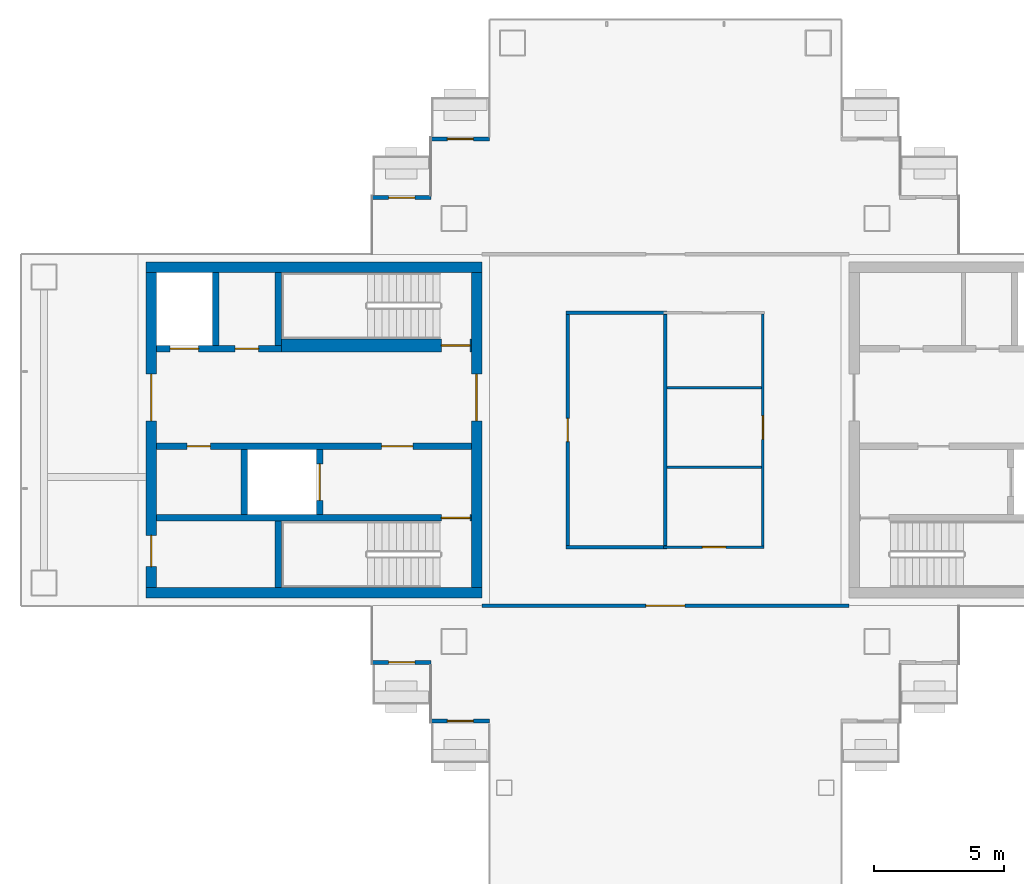
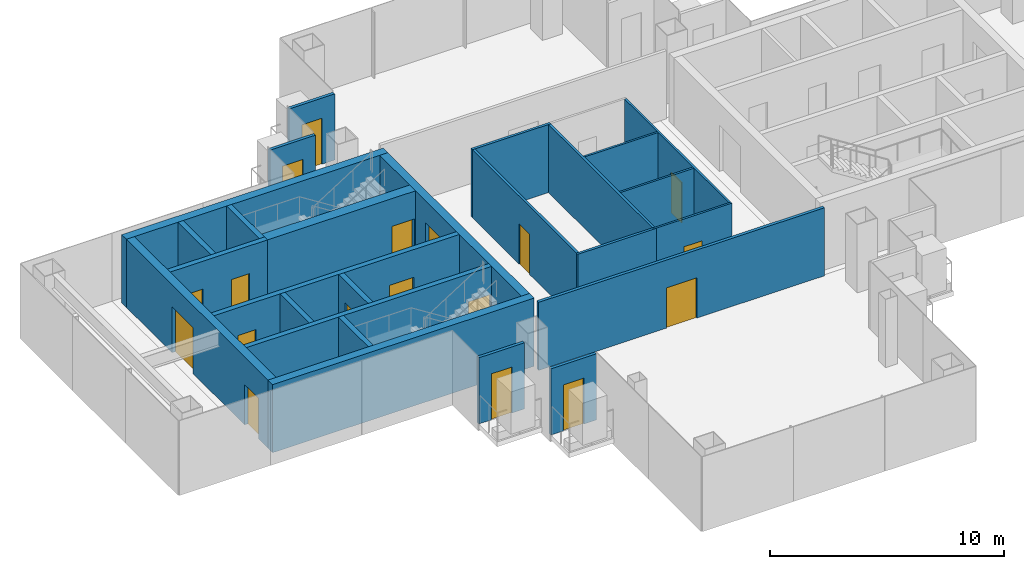
# One storey, part 9 of 17: 26 walls, 18 doors, 18 openings.
"""IFC4 building model written with IfcOpenShell, lengths in metres."""

import ifcopenshell
import ifcopenshell.guid

model = None  # the IFC model being written
_history = None  # IfcOwnerHistory: only IFC2X3 demands one
_inside = {}  # id of a spatial element -> (the spatial element, [elements in it])
_under = {}  # id of a project, library or spatial element -> (it, [spatial elements below it])
_declared = {}  # id of a project -> (the project, [libraries it declares])
_typed = {}  # id of a type object -> (the type object, [elements of that type])
_made_of = {}  # id of a material, layer set ... -> (it, [elements and type objects made of it])


def new_model(schema):
    """Start an empty IFC model of exactly this schema.

    Asked for "IFC4X3", IfcOpenShell would pick the latest addendum, in which some entities
    have other attributes; the version numbers below select the first issue.
    IFC2X3 requires an IfcOwnerHistory on every rooted entity: one is made here for all.
    """
    global model, _history
    if schema == "IFC4X3":
        model = ifcopenshell.file(schema_version=(4, 3, 0, 0))
    else:
        model = ifcopenshell.file(schema=schema)
    _inside.clear()
    _under.clear()
    _declared.clear()
    _typed.clear()
    _made_of.clear()
    _history = None
    if model.schema == "IFC2X3":
        org = make("IfcOrganization", Name="unknown")
        user = make(
            "IfcPersonAndOrganization",
            ThePerson=make("IfcPerson", FamilyName="unknown"),
            TheOrganization=org,
        )
        app = make(
            "IfcApplication",
            ApplicationDeveloper=org,
            Version="unknown",
            ApplicationFullName="unknown",
            ApplicationIdentifier="unknown",
        )
        _history = make(
            "IfcOwnerHistory",
            OwningUser=user,
            OwningApplication=app,
            ChangeAction="ADDED",
            CreationDate=0,
        )
    return model


def make(cls, **values):
    """One entity of the class cls with the attributes given. An attribute that is None is left unset."""
    return model.create_entity(
        cls, **{name: value for name, value in values.items() if value is not None}
    )


def rooted(cls, **values):
    """An entity with a GlobalId (a new one), such as an element, a storey or a relation."""
    return make(cls, GlobalId=ifcopenshell.guid.new(), OwnerHistory=_history, **values)


def si_unit(unit_type, name, prefix=None):
    """IfcSIUnit, for example si_unit("LENGTHUNIT", "METRE", prefix="MILLI")."""
    return make("IfcSIUnit", UnitType=unit_type, Prefix=prefix, Name=name)


def assignment(units):
    """IfcUnitAssignment: the units of a project."""
    return None if units is None else make("IfcUnitAssignment", Units=units)


def point(xyz):
    """IfcCartesianPoint."""
    return None if xyz is None else make("IfcCartesianPoint", Coordinates=xyz)


def direction(xyz):
    """IfcDirection."""
    return None if xyz is None else make("IfcDirection", DirectionRatios=xyz)


def frame(location, z_axis=None, x_axis=None):
    """IfcAxis2Placement3D, a coordinate frame: its origin and axes. An axis left out is left unset."""
    return make(
        "IfcAxis2Placement3D",
        Location=point(location),
        Axis=direction(z_axis),
        RefDirection=direction(x_axis),
    )


def frame_2d(location, x_axis=None):
    """IfcAxis2Placement2D, a coordinate frame in the plane: its origin and x axis."""
    return make(
        "IfcAxis2Placement2D", Location=point(location), RefDirection=direction(x_axis)
    )


def origin():
    """The frame at (0, 0, 0) with its axes left unset."""
    return frame((0.0, 0.0, 0.0))


def place(relative_to, where):
    """IfcLocalPlacement: puts the frame where relative to a parent placement (None: the world)."""
    return make(
        "IfcLocalPlacement", PlacementRelTo=relative_to, RelativePlacement=where
    )


def context(
    kind, dimensions, precision=None, world=None, true_north=None, identifier=None
):
    """IfcGeometricRepresentationContext, for example the 3D "Model" context."""
    return make(
        "IfcGeometricRepresentationContext",
        ContextIdentifier=identifier,
        ContextType=kind,
        CoordinateSpaceDimension=dimensions,
        Precision=precision,
        WorldCoordinateSystem=world,
        TrueNorth=true_north,
    )


def subcontext(parent, identifier, kind, view, scale=None):
    """IfcGeometricRepresentationSubContext, for example "Body" below "Model"."""
    return make(
        "IfcGeometricRepresentationSubContext",
        ContextIdentifier=identifier,
        ContextType=kind,
        ParentContext=parent,
        TargetScale=scale,
        TargetView=view,
    )


def project(units=None, contexts=None):
    """IfcProject with its units and contexts."""
    return rooted(
        "IfcProject",
        Name="project",
        RepresentationContexts=contexts,
        UnitsInContext=assignment(units),
    )


def spatial(cls, under=None, at=None, **own):
    """A site, building, storey or space (cls), placed at a placement, below another one or the project."""
    s = rooted(cls, ObjectPlacement=at, **own)
    if under is not None:
        _under.setdefault(under.id(), (under, []))[1].append(s)
    return s


def profile(cls, at=None, kind="AREA", **sizes):
    """A parametric profile (cls). Its sizes go by their IFC names, for example OverallWidth=200.0."""
    return make(cls, ProfileType=kind, Position=at, **sizes)


def rectangle(**sizes):
    """IfcRectangleProfileDef."""
    return profile("IfcRectangleProfileDef", **sizes)


def extrude(swept, where, along, depth):
    """IfcExtrudedAreaSolid: the profile swept, set in the frame where, extruded along a direction by depth."""
    return make(
        "IfcExtrudedAreaSolid",
        SweptArea=swept,
        Position=where,
        ExtrudedDirection=direction(along),
        Depth=depth,
    )


def shape(context_of_items, identifier, shape_type, items):
    """IfcShapeRepresentation: the items that make up one representation, for example the "Body"."""
    return make(
        "IfcShapeRepresentation",
        ContextOfItems=context_of_items,
        RepresentationIdentifier=identifier,
        RepresentationType=shape_type,
        Items=items,
    )


def material(Name=None, Category=None):
    """IfcMaterial."""
    return make("IfcMaterial", Name=Name, Category=Category)


def layer(
    of_material, thickness, ventilated=None, Name=None, Category=None, Priority=None
):
    """IfcMaterialLayer: one layer of a wall or slab, of a material (None: an air gap)."""
    return make(
        "IfcMaterialLayer",
        Material=of_material,
        LayerThickness=thickness,
        IsVentilated=ventilated,
        Name=Name,
        Category=Category,
        Priority=Priority,
    )


def layer_set(layers, Name=None):
    """IfcMaterialLayerSet."""
    return make("IfcMaterialLayerSet", MaterialLayers=layers, LayerSetName=Name)


def made_of(thing, what):
    """Note that an element or type object is made of a material, layer set ...; save() writes the relation."""
    if what is not None:
        _made_of.setdefault(what.id(), (what, []))[1].append(thing)
    return thing


def type_object(cls, material=None, **own):
    """A type object (cls), such as IfcWallType, which elements share."""
    return made_of(rooted(cls, **own), material)


def element(
    cls,
    number,
    at=None,
    inside=None,
    cuts=None,
    type_object=None,
    material=None,
    context=None,
    identifier="Body",
    shape_type=None,
    held_by="IfcProductDefinitionShape",
    body=None,
    shapes=None,
    **own,
):
    """One element of the class cls, such as IfcWall. Its Tag is "e" and its number.

    at: its placement. inside: the storey or other place that contains it. cuts: it is an
    opening in that element (IfcRelVoidsElement). A single representation is given by context,
    identifier, shape_type and body (its items); several are given by shapes. held_by: the class
    of the entity that holds the representations. save() writes the other relations.
    """
    e = rooted(cls, Tag="e%d" % number, ObjectPlacement=at, **own)
    if body is not None:
        shapes = [shape(context, identifier, shape_type, body)]
    if shapes is not None:
        e.Representation = make(held_by, Representations=shapes)
    if inside is not None:
        _inside.setdefault(inside.id(), (inside, []))[1].append(e)
    if cuts is not None:
        rooted(
            "IfcRelVoidsElement", RelatingBuildingElement=cuts, RelatedOpeningElement=e
        )
    if type_object is not None:
        _typed.setdefault(type_object.id(), (type_object, []))[1].append(e)
    return made_of(e, material)


def fill(opening, filler):
    """IfcRelFillsElement: the door or window that sits in an opening."""
    return rooted(
        "IfcRelFillsElement",
        RelatingOpeningElement=opening,
        RelatedBuildingElement=filler,
    )


def aggregate(whole, parts):
    """IfcRelAggregates: a whole, such as a stair, and the parts it consists of."""
    return rooted("IfcRelAggregates", RelatingObject=whole, RelatedObjects=parts)


def save(model, path):
    """Write the relations noted so far, then the file.

    IfcRelAggregates (storeys below a building ...), IfcRelContainedInSpatialStructure (elements
    in a storey), IfcRelDefinesByType, IfcRelAssociatesMaterial and IfcRelDeclares: one each for
    every whole, place, type object, material and project.
    """
    for whole, parts in _under.values():
        aggregate(whole, parts)
    for where, things in _inside.values():
        rooted(
            "IfcRelContainedInSpatialStructure",
            RelatedElements=things,
            RelatingStructure=where,
        )
    for kind, things in _typed.values():
        rooted("IfcRelDefinesByType", RelatedObjects=things, RelatingType=kind)
    for what, things in _made_of.values():
        rooted("IfcRelAssociatesMaterial", RelatedObjects=things, RelatingMaterial=what)
    for by, libraries in _declared.values():
        rooted("IfcRelDeclares", RelatingContext=by, RelatedDefinitions=libraries)
    model.write(path)


model = new_model("IFC4")

# Units and contexts
model_context = context("Model", 3, precision=1e-05, world=origin(), true_north=direction((0.0, 1.0)))
body_context = subcontext(model_context, "Body", "Model", "MODEL_VIEW")
ifc_project = project(units=[si_unit("LENGTHUNIT", "METRE"), si_unit("AREAUNIT", "SQUARE_METRE"), si_unit("VOLUMEUNIT", "CUBIC_METRE"), si_unit("PLANEANGLEUNIT", "RADIAN"), si_unit("MASSUNIT", "GRAM", prefix="KILO")], contexts=[model_context])

# Site, building, storey
site_placement = place(None, origin())
site = spatial("IfcSite", under=ifc_project, at=site_placement, CompositionType="ELEMENT")
building_placement = place(site_placement, origin())
building = spatial("IfcBuilding", under=site, at=building_placement, Name="Shamsa Quay Exchange Towers", CompositionType="ELEMENT")
storey_placement = place(building_placement, frame((0.0, 0.0, 217.800048828125)))
storey = spatial("IfcBuildingStorey", under=building, at=storey_placement, Name="L52", CompositionType="ELEMENT", Elevation=217.800048828125)

# Wall, opening, door
ifc_material_1 = material(Name="Aluminium EN AW-6063 T6, black anodised, with black enamelled glass infill", Category="aluminium")
ifc_layer_1 = layer(ifc_material_1, 0.14990234375)
ifc_layer_set_1 = layer_set([ifc_layer_1], Name="BALCONY DOOR BAY WALL 150")
wall_type_1 = type_object("IfcWallType", Name="BALCONY DOOR BAY WALL 150", PredefinedType="SOLIDWALL", material=ifc_layer_set_1)
wall_1_placement = place(storey_placement, frame((-42.75, 11.175048828125, 0.0)))
wall_1 = element("IfcWall", 1, at=wall_1_placement, inside=storey, type_object=wall_type_1, Name="Door bay T1-PKWN L52", PredefinedType="SOLIDWALL", context=body_context, shape_type="SweptSolid", body=[
    extrude(rectangle(XDim=2.25, YDim=0.14990234375, at=frame_2d((1.125, 0.0))), origin(), (0.0, 0.0, 1.0), 3.449951171875),
])
opening_1_placement = place(wall_1_placement, frame((0.625, 0.0, 0.0)))
opening_1 = element("IfcOpeningElement", 2, at=opening_1_placement, cuts=wall_1, Name="Opening XD349", PredefinedType="OPENING", context=body_context, shape_type="SweptSolid", body=[
    extrude(rectangle(XDim=1.0, YDim=2.39990234375, at=frame_2d((0.5, 1.199951171875))), frame((0.0, 0.0849609375, 0.0), z_axis=(0.0, -1.0, 0.0), x_axis=(1.0, 0.0, 0.0)), (0.0, 0.0, 1.0), 0.169921875),
])
ifc_material_2 = material(Name="Aluminium EN AW-6063 T6, black anodised, with laminated glass leaf", Category="aluminium")
door_type_1 = type_object("IfcDoorType", Name="BALCONY DOOR 1000x2400", OperationType="SINGLE_SWING_LEFT", PredefinedType="DOOR", material=ifc_material_2)
door_1_placement = place(opening_1_placement, origin())
door_1 = element("IfcDoor", 3, at=door_1_placement, inside=storey, type_object=door_type_1, Name="Balcony door T1-PKWN L52", OperationType="SINGLE_SWING_LEFT", OverallHeight=2.39990234375, OverallWidth=1.0, PredefinedType="DOOR", context=body_context, shape_type="SweptSolid", body=[
    extrude(rectangle(XDim=1.0, YDim=2.39990234375, at=frame_2d((0.5, 1.199951171875))), frame((0.0, 0.02490234375, 0.0), z_axis=(0.0, -1.0, 0.0), x_axis=(1.0, 0.0, 0.0)), (0.0, 0.0, 1.0), 0.050048828125),
])
fill(opening_1, door_1)

wall_2_placement = place(storey_placement, frame((-45.0, 8.925048828125, 0.0)))
wall_2 = element("IfcWall", 4, at=wall_2_placement, inside=storey, type_object=wall_type_1, Name="Door bay T1-PKWN L52", PredefinedType="SOLIDWALL", context=body_context, shape_type="SweptSolid", body=[
    extrude(rectangle(XDim=2.25, YDim=0.14990234375, at=frame_2d((1.125, 0.0))), origin(), (0.0, 0.0, 1.0), 3.449951171875),
])
opening_2_placement = place(wall_2_placement, frame((0.625, 0.0, 0.0)))
opening_2 = element("IfcOpeningElement", 5, at=opening_2_placement, cuts=wall_2, Name="Opening XD350", PredefinedType="OPENING", context=body_context, shape_type="SweptSolid", body=[
    extrude(rectangle(XDim=1.0, YDim=2.39990234375, at=frame_2d((0.5, 1.199951171875))), frame((0.0, 0.0849609375, 0.0), z_axis=(0.0, -1.0, 0.0), x_axis=(1.0, 0.0, 0.0)), (0.0, 0.0, 1.0), 0.169921875),
])
door_2_placement = place(opening_2_placement, origin())
door_2 = element("IfcDoor", 6, at=door_2_placement, inside=storey, type_object=door_type_1, Name="Balcony door T1-PKWN L52", OperationType="SINGLE_SWING_RIGHT", OverallHeight=2.39990234375, OverallWidth=1.0, PredefinedType="DOOR", context=body_context, shape_type="SweptSolid", body=[
    extrude(rectangle(XDim=1.0, YDim=2.39990234375, at=frame_2d((0.5, 1.199951171875))), frame((0.0, 0.02490234375, 0.0), z_axis=(0.0, -1.0, 0.0), x_axis=(1.0, 0.0, 0.0)), (0.0, 0.0, 1.0), 0.050048828125),
])
fill(opening_2, door_2)

wall_3_placement = place(storey_placement, frame((-42.75, -8.925048828125, 0.0), z_axis=(0.0, 0.0, 1.0), x_axis=(-1.0, 0.0, 0.0)))
wall_3 = element("IfcWall", 7, at=wall_3_placement, inside=storey, type_object=wall_type_1, Name="Door bay T1-PKWS L52", PredefinedType="SOLIDWALL", context=body_context, shape_type="SweptSolid", body=[
    extrude(rectangle(XDim=2.25, YDim=0.14990234375, at=frame_2d((1.125, 0.0))), origin(), (0.0, 0.0, 1.0), 3.449951171875),
])
opening_3_placement = place(wall_3_placement, frame((0.625, 0.0, 0.0)))
opening_3 = element("IfcOpeningElement", 8, at=opening_3_placement, cuts=wall_3, Name="Opening XD351", PredefinedType="OPENING", context=body_context, shape_type="SweptSolid", body=[
    extrude(rectangle(XDim=1.0, YDim=2.39990234375, at=frame_2d((0.5, 1.199951171875))), frame((0.0, 0.0849609375, 0.0), z_axis=(0.0, -1.0, 0.0), x_axis=(1.0, 0.0, 0.0)), (0.0, 0.0, 1.0), 0.169921875),
])
door_3_placement = place(opening_3_placement, origin())
door_3 = element("IfcDoor", 9, at=door_3_placement, inside=storey, type_object=door_type_1, Name="Balcony door T1-PKWS L52", OperationType="SINGLE_SWING_LEFT", OverallHeight=2.39990234375, OverallWidth=1.0, PredefinedType="DOOR", context=body_context, shape_type="SweptSolid", body=[
    extrude(rectangle(XDim=1.0, YDim=2.39990234375, at=frame_2d((0.5, 1.199951171875))), frame((0.0, 0.02490234375, 0.0), z_axis=(0.0, -1.0, 0.0), x_axis=(1.0, 0.0, 0.0)), (0.0, 0.0, 1.0), 0.050048828125),
])
fill(opening_3, door_3)

wall_4_placement = place(storey_placement, frame((-40.5, -11.175048828125, 0.0), z_axis=(0.0, 0.0, 1.0), x_axis=(-1.0, 0.0, 0.0)))
wall_4 = element("IfcWall", 10, at=wall_4_placement, inside=storey, type_object=wall_type_1, Name="Door bay T1-PKWS L52", PredefinedType="SOLIDWALL", context=body_context, shape_type="SweptSolid", body=[
    extrude(rectangle(XDim=2.25, YDim=0.14990234375, at=frame_2d((1.125, 0.0))), origin(), (0.0, 0.0, 1.0), 3.449951171875),
])
opening_4_placement = place(wall_4_placement, frame((0.625, 0.0, 0.0)))
opening_4 = element("IfcOpeningElement", 11, at=opening_4_placement, cuts=wall_4, Name="Opening XD352", PredefinedType="OPENING", context=body_context, shape_type="SweptSolid", body=[
    extrude(rectangle(XDim=1.0, YDim=2.39990234375, at=frame_2d((0.5, 1.199951171875))), frame((0.0, 0.0849609375, 0.0), z_axis=(0.0, -1.0, 0.0), x_axis=(1.0, 0.0, 0.0)), (0.0, 0.0, 1.0), 0.169921875),
])
door_4_placement = place(opening_4_placement, origin())
door_4 = element("IfcDoor", 12, at=door_4_placement, inside=storey, type_object=door_type_1, Name="Balcony door T1-PKWS L52", OperationType="SINGLE_SWING_RIGHT", OverallHeight=2.39990234375, OverallWidth=1.0, PredefinedType="DOOR", context=body_context, shape_type="SweptSolid", body=[
    extrude(rectangle(XDim=1.0, YDim=2.39990234375, at=frame_2d((0.5, 1.199951171875))), frame((0.0, 0.02490234375, 0.0), z_axis=(0.0, -1.0, 0.0), x_axis=(1.0, 0.0, 0.0)), (0.0, 0.0, 1.0), 0.050048828125),
])
fill(opening_4, door_4)

# Walls
ifc_material_3 = material(Name="Concrete C60/75", Category="concrete")
ifc_layer_2 = layer(ifc_material_3, 0.39990234375)
ifc_layer_set_2 = layer_set([ifc_layer_2], Name="CORE WALL 400 C60/75")
wall_type_2 = type_object("IfcWallType", Name="CORE WALL 400 C60/75", PredefinedType="SHEAR", material=ifc_layer_set_2)
for number, where, z_axis, x_axis, name in (
    (13, (-40.800048828125, -6.25, 0.0), (0.0, 0.0, 1.0), (-1.0, 0.0, 0.0), "Core wall T1B-R24-PS"),
    (14, (-40.800048828125, 6.25, 0.0), (0.0, 0.0, 1.0), (-1.0, 0.0, 0.0), "Core wall T1B-R24-PN"),
):
    element("IfcWall", number, at=place(storey_placement, frame(where, z_axis=z_axis, x_axis=x_axis)), inside=storey, type_object=wall_type_2, Name=name, PredefinedType="SHEAR", context=body_context, shape_type="SweptSolid", body=[
        extrude(rectangle(XDim=12.89990234375, YDim=0.39990234375, at=frame_2d((6.449951171875, 0.0))), origin(), (0.0, 0.0, 1.0), 3.550048828125),
    ])

# Wall, opening, door
wall_5_placement = place(storey_placement, frame((-41.0, -6.050048828125, 0.0), z_axis=(0.0, 0.0, 1.0), x_axis=(0.0, 1.0, 0.0)))
wall_5 = element("IfcWall", 15, at=wall_5_placement, inside=storey, type_object=wall_type_2, Name="Core wall T1B-R24-PF", PredefinedType="SHEAR", context=body_context, shape_type="SweptSolid", body=[
    extrude(rectangle(XDim=12.10009765625, YDim=0.39990234375, at=frame_2d((6.050048828125, 0.0))), origin(), (0.0, 0.0, 1.0), 3.550048828125),
])
opening_5_placement = place(wall_5_placement, frame((6.39990234375, 0.0, 0.0)))
opening_5 = element("IfcOpeningElement", 16, at=opening_5_placement, cuts=wall_5, Name="Opening T1B-R24-LBD01", PredefinedType="OPENING", context=body_context, shape_type="SweptSolid", body=[
    extrude(rectangle(XDim=1.800048828125, YDim=2.39990234375, at=frame_2d((0.89990234375, 1.199951171875))), frame((0.0, 0.2099609375, 0.0), z_axis=(0.0, -1.0, 0.0), x_axis=(1.0, 0.0, 0.0)), (0.0, 0.0, 1.0), 0.419921875),
])
ifc_material_4 = material(Name="Steel, fire rated", Category="steel")
door_type_2 = type_object("IfcDoorType", Name="LIFT LOBBY DOOR PAIR 1800", OperationType="DOUBLE_DOOR_SINGLE_SWING", PredefinedType="DOOR", material=ifc_material_4)
door_5_placement = place(opening_5_placement, origin())
door_5 = element("IfcDoor", 17, at=door_5_placement, inside=storey, type_object=door_type_2, Name="T1B-R24-LBD01", OperationType="DOUBLE_DOOR_SINGLE_SWING", OverallHeight=2.39990234375, OverallWidth=1.800048828125, PredefinedType="DOOR", context=body_context, shape_type="SweptSolid", body=[
    extrude(rectangle(XDim=1.800048828125, YDim=2.39990234375, at=frame_2d((0.89990234375, 1.199951171875))), frame((0.0, 0.02490234375, 0.0), z_axis=(0.0, -1.0, 0.0), x_axis=(1.0, 0.0, 0.0)), (0.0, 0.0, 1.0), 0.050048828125),
])
fill(opening_5, door_5)

# Wall, openings, doors
wall_6_placement = place(storey_placement, frame((-53.5, -6.050048828125, 0.0), z_axis=(0.0, 0.0, 1.0), x_axis=(0.0, 1.0, 0.0)))
wall_6 = element("IfcWall", 18, at=wall_6_placement, inside=storey, type_object=wall_type_2, Name="Core wall T1B-R24-PB", PredefinedType="SHEAR", context=body_context, shape_type="SweptSolid", body=[
    extrude(rectangle(XDim=12.10009765625, YDim=0.39990234375, at=frame_2d((6.050048828125, 0.0))), origin(), (0.0, 0.0, 1.0), 3.550048828125),
])
opening_6_placement = place(wall_6_placement, frame((0.800048828125, 0.0, 0.0)))
opening_6 = element("IfcOpeningElement", 19, at=opening_6_placement, cuts=wall_6, Name="Opening T1B-R24-RD02", PredefinedType="OPENING", context=body_context, shape_type="SweptSolid", body=[
    extrude(rectangle(XDim=1.199951171875, YDim=2.10009765625, at=frame_2d((0.60009765625, 1.050048828125))), frame((0.0, 0.2099609375, 0.0), z_axis=(0.0, -1.0, 0.0), x_axis=(1.0, 0.0, 0.0)), (0.0, 0.0, 1.0), 0.419921875),
])
opening_7_placement = place(wall_6_placement, frame((6.39990234375, 0.0, 0.0)))
opening_7 = element("IfcOpeningElement", 20, at=opening_7_placement, cuts=wall_6, Name="Opening T1B-R24-LBD03", PredefinedType="OPENING", context=body_context, shape_type="SweptSolid", body=[
    extrude(rectangle(XDim=1.800048828125, YDim=2.39990234375, at=frame_2d((0.89990234375, 1.199951171875))), frame((0.0, 0.2099609375, 0.0), z_axis=(0.0, -1.0, 0.0), x_axis=(1.0, 0.0, 0.0)), (0.0, 0.0, 1.0), 0.419921875),
])
door_6_placement = place(opening_7_placement, origin())
door_6 = element("IfcDoor", 21, at=door_6_placement, inside=storey, type_object=door_type_2, Name="T1B-R24-LBD03", OperationType="DOUBLE_DOOR_SINGLE_SWING", OverallHeight=2.39990234375, OverallWidth=1.800048828125, PredefinedType="DOOR", context=body_context, shape_type="SweptSolid", body=[
    extrude(rectangle(XDim=1.800048828125, YDim=2.39990234375, at=frame_2d((0.89990234375, 1.199951171875))), frame((0.0, 0.02490234375, 0.0), z_axis=(0.0, -1.0, 0.0), x_axis=(1.0, 0.0, 0.0)), (0.0, 0.0, 1.0), 0.050048828125),
])
fill(opening_7, door_6)
door_type_3 = type_object("IfcDoorType", Name="RISER ACCESS DOOR 1200", OperationType="SINGLE_SWING_LEFT", PredefinedType="DOOR", material=ifc_material_4)
door_7_placement = place(opening_6_placement, origin())
door_7 = element("IfcDoor", 22, at=door_7_placement, inside=storey, type_object=door_type_3, Name="T1B-R24-RD02", OperationType="SINGLE_SWING_LEFT", OverallHeight=2.10009765625, OverallWidth=1.199951171875, PredefinedType="DOOR", context=body_context, shape_type="SweptSolid", body=[
    extrude(rectangle(XDim=1.199951171875, YDim=2.10009765625, at=frame_2d((0.60009765625, 1.050048828125))), frame((0.0, 0.02490234375, 0.0), z_axis=(0.0, -1.0, 0.0), x_axis=(1.0, 0.0, 0.0)), (0.0, 0.0, 1.0), 0.050048828125),
])
fill(opening_6, door_7)

# Wall, opening, door
ifc_material_5 = material(Name="Laminated fire-resisting glass in a metal frame", Category="glass")
ifc_layer_3 = layer(ifc_material_5, 0.125)
ifc_layer_set_3 = layer_set([ifc_layer_3], Name="Glazed partition 125 mm EI 60")
wall_type_3 = type_object("IfcWallType", Name="Glazed partition 125 mm EI 60", PredefinedType="PARTITIONING", material=ifc_layer_set_3)
wall_7_placement = place(storey_placement, frame((-37.5, 4.4375, 0.0), z_axis=(0.0, 0.0, 1.0), x_axis=(0.0, -1.0, 0.0)))
wall_7 = element("IfcWall", 23, at=wall_7_placement, inside=storey, type_object=wall_type_3, Name="Partition T1-R24-W01", PredefinedType="PARTITIONING", context=body_context, shape_type="SweptSolid", body=[
    extrude(rectangle(XDim=8.875, YDim=0.125, at=frame_2d((4.4375, 0.0))), origin(), (0.0, 0.0, 1.0), 3.550048828125),
])
opening_8_placement = place(wall_7_placement, frame((3.987548828125, 0.0, 0.0)))
opening_8 = element("IfcOpeningElement", 24, at=opening_8_placement, cuts=wall_7, Name="Opening T1-R24-D02", PredefinedType="OPENING", context=body_context, shape_type="SweptSolid", body=[
    extrude(rectangle(XDim=0.89990234375, YDim=2.10009765625, at=frame_2d((0.449951171875, 1.050048828125))), frame((0.0, 0.072509765625, 0.0), z_axis=(0.0, -1.0, 0.0), x_axis=(1.0, 0.0, 0.0)), (0.0, 0.0, 1.0), 0.14501953125),
])
ifc_material_6 = material(Name="Timber door leaf in a metal frame", Category="wood")
door_type_4 = type_object("IfcDoorType", Name="Door 900x2100 FD30S", OperationType="NOTDEFINED", PredefinedType="DOOR", material=ifc_material_6)
door_8_placement = place(opening_8_placement, origin())
door_8 = element("IfcDoor", 25, at=door_8_placement, inside=storey, type_object=door_type_4, Name="Door T1-R24-D02", OperationType="SINGLE_SWING_RIGHT", OverallHeight=2.10009765625, OverallWidth=0.89990234375, PredefinedType="DOOR", context=body_context, shape_type="SweptSolid", body=[
    extrude(rectangle(XDim=0.89990234375, YDim=2.10009765625, at=frame_2d((0.449951171875, 1.050048828125))), frame((0.0, 0.02490234375, 0.0), z_axis=(0.0, -1.0, 0.0), x_axis=(1.0, 0.0, 0.0)), (0.0, 0.0, 1.0), 0.050048828125),
])
fill(opening_8, door_8)

# Walls
wall_8_placement = place(storey_placement, frame((-37.5625, -4.5, 0.0)))
element("IfcWall", 26, at=wall_8_placement, inside=storey, type_object=wall_type_3, Name="Partition T1-R24-W02", PredefinedType="PARTITIONING", context=body_context, shape_type="SweptSolid", body=[
    extrude(rectangle(XDim=3.875, YDim=0.125, at=frame_2d((1.9375, 0.0))), origin(), (0.0, 0.0, 1.0), 3.550048828125),
])
wall_9_placement = place(storey_placement, frame((-33.6875, 4.5, 0.0), z_axis=(0.0, 0.0, 1.0), x_axis=(-1.0, 0.0, 0.0)))
element("IfcWall", 27, at=wall_9_placement, inside=storey, type_object=wall_type_3, Name="Partition T1-R24-W03", PredefinedType="PARTITIONING", context=body_context, shape_type="SweptSolid", body=[
    extrude(rectangle(XDim=3.875, YDim=0.125, at=frame_2d((1.9375, 0.0))), origin(), (0.0, 0.0, 1.0), 3.550048828125),
])
wall_10_placement = place(storey_placement, frame((-33.75, -4.4375, 0.0), z_axis=(0.0, 0.0, 1.0), x_axis=(0.0, 1.0, 0.0)))
element("IfcWall", 28, at=wall_10_placement, inside=storey, type_object=wall_type_3, Name="Partition T1-R24-W09", PredefinedType="PARTITIONING", context=body_context, shape_type="SweptSolid", body=[
    extrude(rectangle(XDim=8.875, YDim=0.125, at=frame_2d((4.4375, 0.0))), origin(), (0.0, 0.0, 1.0), 3.550048828125),
])

# Wall, opening, door
ifc_material_7 = material(Name="Gypsum board partition on metal studs")
ifc_layer_4 = layer(ifc_material_7, 0.10009765625)
ifc_layer_set_4 = layer_set([ifc_layer_4], Name="Partition 100 mm NOT RATED")
wall_type_4 = type_object("IfcWallType", Name="Partition 100 mm NOT RATED", PredefinedType="PARTITIONING", material=ifc_layer_set_4)
wall_11_placement = place(storey_placement, frame((-33.8125, -4.5, 0.0)))
wall_11 = element("IfcWall", 29, at=wall_11_placement, inside=storey, type_object=wall_type_4, Name="Partition T1-R24-W04", PredefinedType="PARTITIONING", context=body_context, shape_type="SweptSolid", body=[
    extrude(rectangle(XDim=3.862548828125, YDim=0.10009765625, at=frame_2d((1.93115234375, 0.0))), origin(), (0.0, 0.0, 1.0), 3.550048828125),
])
opening_9_placement = place(wall_11_placement, frame((1.487548828125, 0.0, 0.0)))
opening_9 = element("IfcOpeningElement", 30, at=opening_9_placement, cuts=wall_11, Name="Opening T1-R24-D03", PredefinedType="OPENING", context=body_context, shape_type="SweptSolid", body=[
    extrude(rectangle(XDim=0.89990234375, YDim=2.10009765625, at=frame_2d((0.449951171875, 1.050048828125))), frame((0.0, 0.06005859375, 0.0), z_axis=(0.0, -1.0, 0.0), x_axis=(1.0, 0.0, 0.0)), (0.0, 0.0, 1.0), 0.1201171875),
])
door_type_5 = type_object("IfcDoorType", Name="Door 900x2100 NOT RATED", OperationType="NOTDEFINED", PredefinedType="DOOR", material=ifc_material_6)
door_9_placement = place(opening_9_placement, origin())
door_9 = element("IfcDoor", 31, at=door_9_placement, inside=storey, type_object=door_type_5, Name="Door T1-R24-D03", OperationType="SINGLE_SWING_LEFT", OverallHeight=2.10009765625, OverallWidth=0.89990234375, PredefinedType="DOOR", context=body_context, shape_type="SweptSolid", body=[
    extrude(rectangle(XDim=0.89990234375, YDim=2.10009765625, at=frame_2d((0.449951171875, 1.050048828125))), frame((0.0, 0.02490234375, 0.0), z_axis=(0.0, -1.0, 0.0), x_axis=(1.0, 0.0, 0.0)), (0.0, 0.0, 1.0), 0.050048828125),
])
fill(opening_9, door_9)

wall_12_placement = place(storey_placement, frame((-30.0, -4.449951171875, 0.0), z_axis=(0.0, 0.0, 1.0), x_axis=(0.0, 1.0, 0.0)))
wall_12 = element("IfcWall", 32, at=wall_12_placement, inside=storey, type_object=wall_type_4, Name="Partition T1-R24-W05", PredefinedType="PARTITIONING", context=body_context, shape_type="SweptSolid", body=[
    extrude(rectangle(XDim=8.89990234375, YDim=0.10009765625, at=frame_2d((4.449951171875, 0.0))), origin(), (0.0, 0.0, 1.0), 3.550048828125),
])
opening_10_placement = place(wall_12_placement, frame((4.09375, 0.0, 0.0)))
opening_10 = element("IfcOpeningElement", 33, at=opening_10_placement, cuts=wall_12, Name="Opening T1-R24-D04", PredefinedType="OPENING", context=body_context, shape_type="SweptSolid", body=[
    extrude(rectangle(XDim=0.89990234375, YDim=2.10009765625, at=frame_2d((0.449951171875, 1.050048828125))), frame((0.0, 0.06005859375, 0.0), z_axis=(0.0, -1.0, 0.0), x_axis=(1.0, 0.0, 0.0)), (0.0, 0.0, 1.0), 0.1201171875),
])
door_10_placement = place(opening_10_placement, origin())
door_10 = element("IfcDoor", 34, at=door_10_placement, inside=storey, type_object=door_type_5, Name="Door T1-R24-D04", OperationType="SINGLE_SWING_RIGHT", OverallHeight=2.10009765625, OverallWidth=0.89990234375, PredefinedType="DOOR", context=body_context, shape_type="SweptSolid", body=[
    extrude(rectangle(XDim=0.89990234375, YDim=2.10009765625, at=frame_2d((0.449951171875, 1.050048828125))), frame((0.0, 0.02490234375, 0.0), z_axis=(0.0, -1.0, 0.0), x_axis=(1.0, 0.0, 0.0)), (0.0, 0.0, 1.0), 0.050048828125),
])
fill(opening_10, door_10)

# Walls
for number, where, z_axis, x_axis, name in (
    (35, (-30.050048828125, -1.4375, 0.0), (0.0, 0.0, 1.0), (-1.0, 0.0, 0.0), "Partition T1-R24-W10"),
    (36, (-30.050048828125, 1.625, 0.0), (0.0, 0.0, 1.0), (-1.0, 0.0, 0.0), "Partition T1-R24-W11"),
):
    element("IfcWall", number, at=place(storey_placement, frame(where, z_axis=z_axis, x_axis=x_axis)), inside=storey, type_object=wall_type_4, Name=name, PredefinedType="PARTITIONING", context=body_context, shape_type="SweptSolid", body=[
        extrude(rectangle(XDim=3.637451171875, YDim=0.10009765625, at=frame_2d((1.81884765625, 0.0))), origin(), (0.0, 0.0, 1.0), 3.550048828125),
    ])

# Wall, opening, door
ifc_layer_5 = layer(ifc_material_7, 0.14990234375)
ifc_layer_set_5 = layer_set([ifc_layer_5], Name="Partition 150 mm EI 60")
wall_type_5 = type_object("IfcWallType", Name="Partition 150 mm EI 60", PredefinedType="PARTITIONING", material=ifc_layer_set_5)
wall_13_placement = place(storey_placement, frame((-26.699951171875, -6.75, 0.0), z_axis=(0.0, 0.0, 1.0), x_axis=(-1.0, 0.0, 0.0)))
wall_13 = element("IfcWall", 37, at=wall_13_placement, inside=storey, type_object=wall_type_5, Name="Partition T1-R24-W08", PredefinedType="PARTITIONING", context=body_context, shape_type="SweptSolid", body=[
    extrude(rectangle(XDim=14.10009765625, YDim=0.14990234375, at=frame_2d((7.050048828125, 0.0))), origin(), (0.0, 0.0, 1.0), 3.550048828125),
])
opening_11_placement = place(wall_13_placement, frame((6.300048828125, 0.0, 0.0)))
opening_11 = element("IfcOpeningElement", 38, at=opening_11_placement, cuts=wall_13, Name="Opening T1-R24-D06", PredefinedType="OPENING", context=body_context, shape_type="SweptSolid", body=[
    extrude(rectangle(XDim=1.5, YDim=2.10009765625, at=frame_2d((0.75, 1.050048828125))), frame((0.0, 0.0849609375, 0.0), z_axis=(0.0, -1.0, 0.0), x_axis=(1.0, 0.0, 0.0)), (0.0, 0.0, 1.0), 0.169921875),
])
door_type_6 = type_object("IfcDoorType", Name="Door 1500x2100 FD30S pair", OperationType="NOTDEFINED", PredefinedType="DOOR", material=ifc_material_6)
door_11_placement = place(opening_11_placement, origin())
door_11 = element("IfcDoor", 39, at=door_11_placement, inside=storey, type_object=door_type_6, Name="Door T1-R24-D06", OperationType="DOUBLE_DOOR_SINGLE_SWING", OverallHeight=2.10009765625, OverallWidth=1.5, PredefinedType="DOOR", context=body_context, shape_type="SweptSolid", body=[
    extrude(rectangle(XDim=1.5, YDim=2.10009765625, at=frame_2d((0.75, 1.050048828125))), frame((0.0, 0.02490234375, 0.0), z_axis=(0.0, -1.0, 0.0), x_axis=(1.0, 0.0, 0.0)), (0.0, 0.0, 1.0), 0.050048828125),
])
fill(opening_11, door_11)

ifc_material_8 = material(Name="Concrete C50/60", Category="concrete")
ifc_layer_6 = layer(ifc_material_8, 0.25)
ifc_layer_set_6 = layer_set([ifc_layer_6], Name="SHAFT WALL 250 C50/60")
wall_type_6 = type_object("IfcWallType", Name="SHAFT WALL 250 C50/60", PredefinedType="SHEAR", material=ifc_layer_set_6)
wall_14_placement = place(storey_placement, frame((-41.199951171875, -3.375, 0.0), z_axis=(0.0, 0.0, 1.0), x_axis=(-1.0, 0.0, 0.0)))
wall_14 = element("IfcWall", 40, at=wall_14_placement, inside=storey, type_object=wall_type_6, Name="Shaft wall T1B-R24-STL", PredefinedType="SHEAR", context=body_context, shape_type="SweptSolid", body=[
    extrude(rectangle(XDim=12.10009765625, YDim=0.25, at=frame_2d((6.050048828125, 0.0))), origin(), (0.0, 0.0, 1.0), 3.550048828125),
])
opening_12_placement = place(wall_14_placement, frame((0.050048828125, 0.0, 0.0)))
opening_12 = element("IfcOpeningElement", 41, at=opening_12_placement, cuts=wall_14, Name="Opening T1B-R24-SD04", PredefinedType="OPENING", context=body_context, shape_type="SweptSolid", body=[
    extrude(rectangle(XDim=1.10009765625, YDim=2.10009765625, at=frame_2d((0.550048828125, 1.050048828125))), frame((0.0, 0.135009765625, 0.0), z_axis=(0.0, -1.0, 0.0), x_axis=(1.0, 0.0, 0.0)), (0.0, 0.0, 1.0), 0.27001953125),
])
door_type_7 = type_object("IfcDoorType", Name="STAIR DOOR 1100", OperationType="SINGLE_SWING_LEFT", PredefinedType="DOOR", material=ifc_material_4)
door_12_placement = place(opening_12_placement, origin())
door_12 = element("IfcDoor", 42, at=door_12_placement, inside=storey, type_object=door_type_7, Name="T1B-R24-SD04", OperationType="SINGLE_SWING_LEFT", OverallHeight=2.10009765625, OverallWidth=1.10009765625, PredefinedType="DOOR", context=body_context, shape_type="SweptSolid", body=[
    extrude(rectangle(XDim=1.10009765625, YDim=2.10009765625, at=frame_2d((0.550048828125, 1.050048828125))), frame((0.0, 0.02490234375, 0.0), z_axis=(0.0, -1.0, 0.0), x_axis=(1.0, 0.0, 0.0)), (0.0, 0.0, 1.0), 0.050048828125),
])
fill(opening_12, door_12)

# Wall
wall_15_placement = place(storey_placement, frame((-48.625, -6.050048828125, 0.0), z_axis=(0.0, 0.0, 1.0), x_axis=(0.0, 1.0, 0.0)))
element("IfcWall", 43, at=wall_15_placement, inside=storey, type_object=wall_type_6, Name="Shaft wall T1B-R24-STF", PredefinedType="SHEAR", context=body_context, shape_type="SweptSolid", body=[
    extrude(rectangle(XDim=2.550048828125, YDim=0.25, at=frame_2d((1.27490234375, 0.0))), origin(), (0.0, 0.0, 1.0), 3.550048828125),
])

# Wall, openings, doors
wall_16_placement = place(storey_placement, frame((-41.199951171875, -0.625, 0.0), z_axis=(0.0, 0.0, 1.0), x_axis=(-1.0, 0.0, 0.0)))
wall_16 = element("IfcWall", 44, at=wall_16_placement, inside=storey, type_object=wall_type_6, Name="Shaft wall T1B-R24-B", PredefinedType="SHEAR", context=body_context, shape_type="SweptSolid", body=[
    extrude(rectangle(XDim=12.10009765625, YDim=0.25, at=frame_2d((6.050048828125, 0.0))), origin(), (0.0, 0.0, 1.0), 3.550048828125),
])
opening_13_placement = place(wall_16_placement, frame((2.25, 0.0, 0.0)))
opening_13 = element("IfcOpeningElement", 45, at=opening_13_placement, cuts=wall_16, Name="Opening T1B-R24-FD05", PredefinedType="OPENING", context=body_context, shape_type="SweptSolid", body=[
    extrude(rectangle(XDim=1.199951171875, YDim=2.10009765625, at=frame_2d((0.60009765625, 1.050048828125))), frame((0.0, 0.135009765625, 0.0), z_axis=(0.0, -1.0, 0.0), x_axis=(1.0, 0.0, 0.0)), (0.0, 0.0, 1.0), 0.27001953125),
])
opening_14_placement = place(wall_16_placement, frame((10.02490234375, 0.0, 0.0)))
opening_14 = element("IfcOpeningElement", 46, at=opening_14_placement, cuts=wall_16, Name="Opening T1B-R24-SV06", PredefinedType="OPENING", context=body_context, shape_type="SweptSolid", body=[
    extrude(rectangle(XDim=0.89990234375, YDim=2.10009765625, at=frame_2d((0.449951171875, 1.050048828125))), frame((0.0, 0.135009765625, 0.0), z_axis=(0.0, -1.0, 0.0), x_axis=(1.0, 0.0, 0.0)), (0.0, 0.0, 1.0), 0.27001953125),
])
door_type_8 = type_object("IfcDoorType", Name="FIRE SERVICE LOBBY DOOR 1200", OperationType="SINGLE_SWING_LEFT", PredefinedType="DOOR", material=ifc_material_4)
door_13_placement = place(opening_13_placement, origin())
door_13 = element("IfcDoor", 47, at=door_13_placement, inside=storey, type_object=door_type_8, Name="T1B-R24-FD05", OperationType="SINGLE_SWING_LEFT", OverallHeight=2.10009765625, OverallWidth=1.199951171875, PredefinedType="DOOR", context=body_context, shape_type="SweptSolid", body=[
    extrude(rectangle(XDim=1.199951171875, YDim=2.10009765625, at=frame_2d((0.60009765625, 1.050048828125))), frame((0.0, 0.02490234375, 0.0), z_axis=(0.0, -1.0, 0.0), x_axis=(1.0, 0.0, 0.0)), (0.0, 0.0, 1.0), 0.050048828125),
])
fill(opening_13, door_13)
door_type_9 = type_object("IfcDoorType", Name="SERVICE ROOM DOOR 900", OperationType="SINGLE_SWING_LEFT", PredefinedType="DOOR", material=ifc_material_4)
door_14_placement = place(opening_14_placement, origin())
door_14 = element("IfcDoor", 48, at=door_14_placement, inside=storey, type_object=door_type_9, Name="T1B-R24-SV06", OperationType="SINGLE_SWING_RIGHT", OverallHeight=2.10009765625, OverallWidth=0.89990234375, PredefinedType="DOOR", context=body_context, shape_type="SweptSolid", body=[
    extrude(rectangle(XDim=0.89990234375, YDim=2.10009765625, at=frame_2d((0.449951171875, 1.050048828125))), frame((0.0, 0.02490234375, 0.0), z_axis=(0.0, -1.0, 0.0), x_axis=(1.0, 0.0, 0.0)), (0.0, 0.0, 1.0), 0.050048828125),
])
fill(opening_14, door_14)

# Wall, opening, door
wall_17_placement = place(storey_placement, frame((-47.02490234375, -3.25, 0.0), z_axis=(0.0, 0.0, 1.0), x_axis=(0.0, 1.0, 0.0)))
wall_17 = element("IfcWall", 49, at=wall_17_placement, inside=storey, type_object=wall_type_6, Name="Shaft wall T1B-R24-FFF", PredefinedType="SHEAR", context=body_context, shape_type="SweptSolid", body=[
    extrude(rectangle(XDim=2.5, YDim=0.25, at=frame_2d((1.25, 0.0))), origin(), (0.0, 0.0, 1.0), 3.550048828125),
])
opening_15_placement = place(wall_17_placement, frame((0.550048828125, 0.0, 0.0)))
opening_15 = element("IfcOpeningElement", 50, at=opening_15_placement, cuts=wall_17, Name="Opening T1B-R24-LDG07", PredefinedType="OPENING", context=body_context, shape_type="SweptSolid", body=[
    extrude(rectangle(XDim=1.39990234375, YDim=2.39990234375, at=frame_2d((0.699951171875, 1.199951171875))), frame((0.0, 0.135009765625, 0.0), z_axis=(0.0, -1.0, 0.0), x_axis=(1.0, 0.0, 0.0)), (0.0, 0.0, 1.0), 0.27001953125),
])
door_type_10 = type_object("IfcDoorType", Name="GOODS LIFT LANDING DOOR 1400", OperationType="SLIDING_TO_LEFT", PredefinedType="DOOR", material=ifc_material_4)
door_15_placement = place(opening_15_placement, origin())
door_15 = element("IfcDoor", 51, at=door_15_placement, inside=storey, type_object=door_type_10, Name="T1B-R24-LDG07", OperationType="SLIDING_TO_LEFT", OverallHeight=2.39990234375, OverallWidth=1.39990234375, PredefinedType="DOOR", context=body_context, shape_type="SweptSolid", body=[
    extrude(rectangle(XDim=1.39990234375, YDim=2.39990234375, at=frame_2d((0.699951171875, 1.199951171875))), frame((0.0, 0.02490234375, 0.0), z_axis=(0.0, -1.0, 0.0), x_axis=(1.0, 0.0, 0.0)), (0.0, 0.0, 1.0), 0.050048828125),
])
fill(opening_15, door_15)

# Wall
wall_18_placement = place(storey_placement, frame((-49.925048828125, -3.25, 0.0), z_axis=(0.0, 0.0, 1.0), x_axis=(0.0, 1.0, 0.0)))
element("IfcWall", 52, at=wall_18_placement, inside=storey, type_object=wall_type_6, Name="Shaft wall T1B-R24-FFB", PredefinedType="SHEAR", context=body_context, shape_type="SweptSolid", body=[
    extrude(rectangle(XDim=2.5, YDim=0.25, at=frame_2d((1.25, 0.0))), origin(), (0.0, 0.0, 1.0), 3.550048828125),
])

# Wall, openings, doors
wall_19_placement = place(storey_placement, frame((-53.300048828125, 3.125, 0.0)))
wall_19 = element("IfcWall", 53, at=wall_19_placement, inside=storey, type_object=wall_type_6, Name="Shaft wall T1B-R24-N2", PredefinedType="SHEAR", context=body_context, shape_type="SweptSolid", body=[
    extrude(rectangle(XDim=4.800048828125, YDim=0.25, at=frame_2d((2.39990234375, 0.0))), origin(), (0.0, 0.0, 1.0), 3.550048828125),
])
opening_16_placement = place(wall_19_placement, frame((0.52490234375, 0.0, 0.0)))
opening_16 = element("IfcOpeningElement", 54, at=opening_16_placement, cuts=wall_19, Name="Opening T1B-R24-LD09", PredefinedType="OPENING", context=body_context, shape_type="SweptSolid", body=[
    extrude(rectangle(XDim=1.10009765625, YDim=2.10009765625, at=frame_2d((0.550048828125, 1.050048828125))), frame((0.0, 0.135009765625, 0.0), z_axis=(0.0, -1.0, 0.0), x_axis=(1.0, 0.0, 0.0)), (0.0, 0.0, 1.0), 0.27001953125),
])
opening_17_placement = place(wall_19_placement, frame((3.02490234375, 0.0, 0.0)))
opening_17 = element("IfcOpeningElement", 55, at=opening_17_placement, cuts=wall_19, Name="Opening T1B-R24-SV10", PredefinedType="OPENING", context=body_context, shape_type="SweptSolid", body=[
    extrude(rectangle(XDim=0.89990234375, YDim=2.10009765625, at=frame_2d((0.449951171875, 1.050048828125))), frame((0.0, 0.135009765625, 0.0), z_axis=(0.0, -1.0, 0.0), x_axis=(1.0, 0.0, 0.0)), (0.0, 0.0, 1.0), 0.27001953125),
])
door_type_11 = type_object("IfcDoorType", Name="LANDING DOOR 1100", OperationType="SLIDING_TO_LEFT", PredefinedType="DOOR", material=ifc_material_4)
door_16_placement = place(opening_16_placement, origin())
door_16 = element("IfcDoor", 56, at=door_16_placement, inside=storey, type_object=door_type_11, Name="T1B-R24-LD09", OperationType="SLIDING_TO_LEFT", OverallHeight=2.10009765625, OverallWidth=1.10009765625, PredefinedType="DOOR", context=body_context, shape_type="SweptSolid", body=[
    extrude(rectangle(XDim=1.10009765625, YDim=2.10009765625, at=frame_2d((0.550048828125, 1.050048828125))), frame((0.0, 0.02490234375, 0.0), z_axis=(0.0, -1.0, 0.0), x_axis=(1.0, 0.0, 0.0)), (0.0, 0.0, 1.0), 0.050048828125),
])
fill(opening_16, door_16)
door_17_placement = place(opening_17_placement, origin())
door_17 = element("IfcDoor", 57, at=door_17_placement, inside=storey, type_object=door_type_9, Name="T1B-R24-SV10", OperationType="SINGLE_SWING_RIGHT", OverallHeight=2.10009765625, OverallWidth=0.89990234375, PredefinedType="DOOR", context=body_context, shape_type="SweptSolid", body=[
    extrude(rectangle(XDim=0.89990234375, YDim=2.10009765625, at=frame_2d((0.449951171875, 1.050048828125))), frame((0.0, 0.02490234375, 0.0), z_axis=(0.0, -1.0, 0.0), x_axis=(1.0, 0.0, 0.0)), (0.0, 0.0, 1.0), 0.050048828125),
])
fill(opening_17, door_17)

# Walls
for number, where, z_axis, x_axis, name in (
    (58, (-48.625, 3.25, 0.0), (0.0, 0.0, 1.0), (0.0, 1.0, 0.0), "Shaft wall T1B-R24-STF2"),
    (59, (-51.02490234375, 3.25, 0.0), (0.0, 0.0, 1.0), (0.0, 1.0, 0.0), "Shaft wall T1B-R24-D0"),
):
    element("IfcWall", number, at=place(storey_placement, frame(where, z_axis=z_axis, x_axis=x_axis)), inside=storey, type_object=wall_type_6, Name=name, PredefinedType="SHEAR", context=body_context, shape_type="SweptSolid", body=[
        extrude(rectangle(XDim=2.800048828125, YDim=0.25, at=frame_2d((1.39990234375, 0.0))), origin(), (0.0, 0.0, 1.0), 3.550048828125),
    ])

# Wall, opening, door
ifc_layer_7 = layer(ifc_material_8, 0.5)
ifc_layer_set_7 = layer_set([ifc_layer_7], Name="SHAFT WALL 500 C50/60")
wall_type_7 = type_object("IfcWallType", Name="SHAFT WALL 500 C50/60", PredefinedType="SHEAR", material=ifc_layer_set_7)
wall_20_placement = place(storey_placement, frame((-48.5, 3.25, 0.0)))
wall_20 = element("IfcWall", 60, at=wall_20_placement, inside=storey, type_object=wall_type_7, Name="Shaft wall T1B-R24-N", PredefinedType="SHEAR", context=body_context, shape_type="SweptSolid", body=[
    extrude(rectangle(XDim=7.300048828125, YDim=0.5, at=frame_2d((3.64990234375, 0.0))), origin(), (0.0, 0.0, 1.0), 3.550048828125),
])
opening_18_placement = place(wall_20_placement, frame((6.14990234375, 0.0, 0.0)))
opening_18 = element("IfcOpeningElement", 61, at=opening_18_placement, cuts=wall_20, Name="Opening T1B-R24-SD08", PredefinedType="OPENING", context=body_context, shape_type="SweptSolid", body=[
    extrude(rectangle(XDim=1.10009765625, YDim=2.10009765625, at=frame_2d((0.550048828125, 1.050048828125))), frame((0.0, 0.260009765625, 0.0), z_axis=(0.0, -1.0, 0.0), x_axis=(1.0, 0.0, 0.0)), (0.0, 0.0, 1.0), 0.52001953125),
])
door_18_placement = place(opening_18_placement, origin())
door_18 = element("IfcDoor", 62, at=door_18_placement, inside=storey, type_object=door_type_7, Name="T1B-R24-SD08", OperationType="SINGLE_SWING_RIGHT", OverallHeight=2.10009765625, OverallWidth=1.10009765625, PredefinedType="DOOR", context=body_context, shape_type="SweptSolid", body=[
    extrude(rectangle(XDim=1.10009765625, YDim=2.10009765625, at=frame_2d((0.550048828125, 1.050048828125))), frame((0.0, 0.02490234375, 0.0), z_axis=(0.0, -1.0, 0.0), x_axis=(1.0, 0.0, 0.0)), (0.0, 0.0, 1.0), 0.050048828125),
])
fill(opening_18, door_18)

save(model, "model.ifc")
